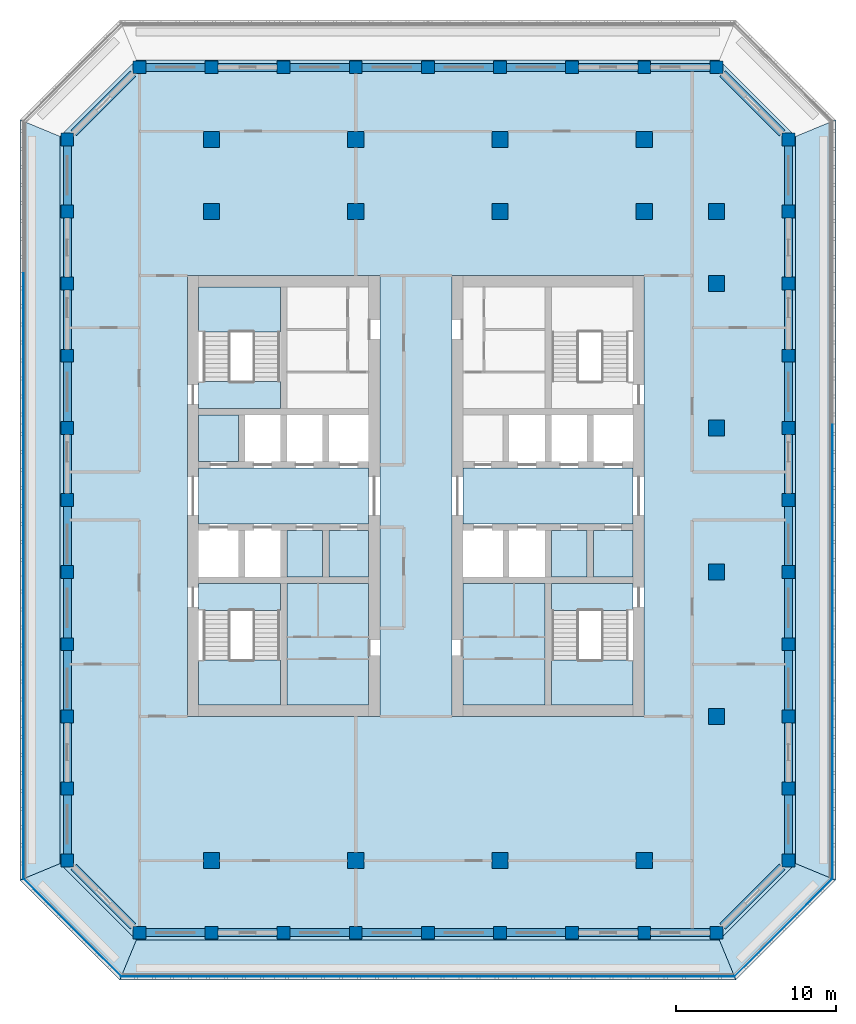
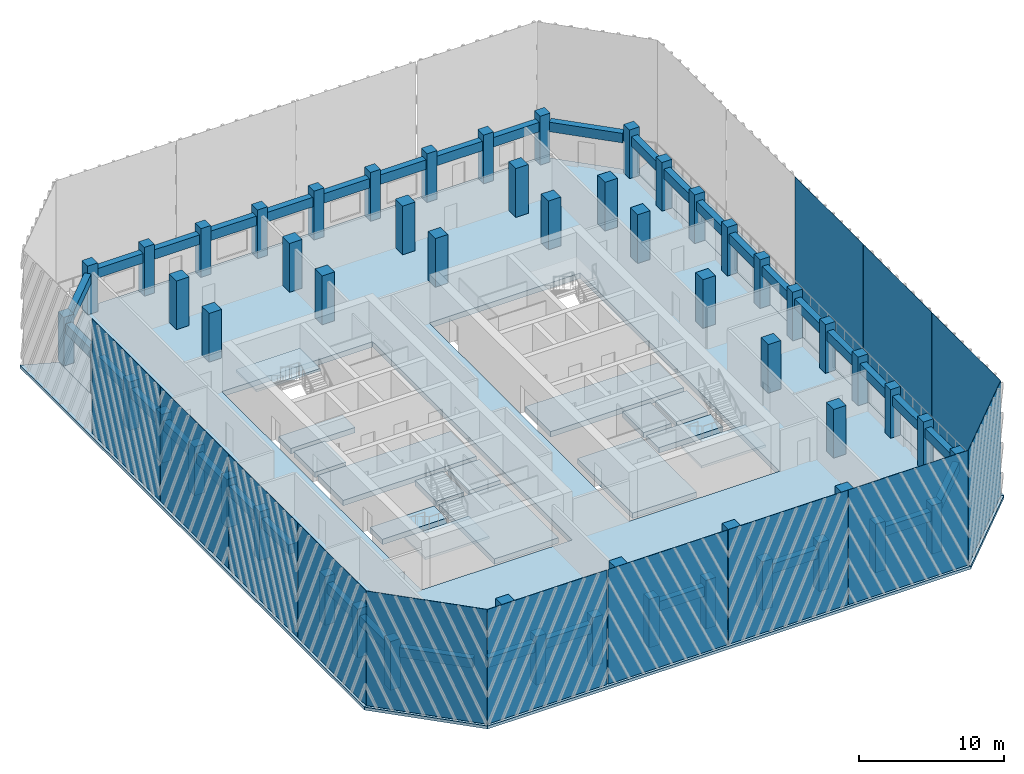
# One storey, part 1 of 17: 57 columns, 40 beams, 21 slabs, 13 plates, 3 elements without a shape of their own.
"""IFC4 building model written with IfcOpenShell, lengths in metres."""

from ifc_helpers import new_model, si_unit, direction, frame, origin, origin_2d, place, context, subcontext, project, spatial, polyline, rectangle, outline, extrude, material, layer, layer_set, material_profile, profile_set, type_object, element, aggregate, save


model = new_model("IFC4")

# Units and contexts
model_context = context("Model", 3, precision=1e-05, world=origin(), true_north=direction((0.0, 1.0)))
body_context = subcontext(model_context, "Body", "Model", "MODEL_VIEW")
ifc_project = project(units=[si_unit("LENGTHUNIT", "METRE"), si_unit("AREAUNIT", "SQUARE_METRE"), si_unit("VOLUMEUNIT", "CUBIC_METRE"), si_unit("PLANEANGLEUNIT", "RADIAN"), si_unit("MASSUNIT", "GRAM", prefix="KILO")], contexts=[model_context])

# Site, building, storey
site_placement = place(None, origin())
site = spatial("IfcSite", under=ifc_project, at=site_placement, CompositionType="ELEMENT")
building_placement = place(site_placement, origin())
building = spatial("IfcBuilding", under=site, at=building_placement, Name="Corbel Stack Research Tower", CompositionType="ELEMENT")
storey_placement = place(building_placement, frame((0.0, 0.0, 256.199951171875)))
storey = spatial("IfcBuildingStorey", under=building, at=storey_placement, Name="L58", CompositionType="ELEMENT", Elevation=256.199951171875)

# Columns
ifc_material_1 = material(Name="Concrete C60/75", Category="concrete")
ifc_material_profile_1 = material_profile(ifc_material_1, rectangle(XDim=1.0, YDim=1.0, at=origin_2d()), Name="RC 1000 x 1000")
ifc_profile_set_1 = profile_set([ifc_material_profile_1], Name="Concrete C60/75")
column_type_1 = type_object("IfcColumnType", Name="C-1000-60", PredefinedType="COLUMN", material=ifc_profile_set_1)
for number, where, z_axis, x_axis, name in (
    (1, (-9.0, -18.0, 0.0), (0.0, 0.0, 1.0), (1.0, 0.0, 0.0), "Column 6/D L58"),
    (2, (-9.0, 22.5, 0.0), (0.0, 0.0, 1.0), (1.0, 0.0, 0.0), "Column 6/N L58"),
    (3, (-9.0, 27.0, 0.0), (0.0, 0.0, 1.0), (1.0, 0.0, 0.0), "Column 6/P L58"),
    (4, (0.0, -18.0, 0.0), (0.0, 0.0, 1.0), (1.0, 0.0, 0.0), "Column 8/D L58"),
    (5, (0.0, 22.5, 0.0), (0.0, 0.0, 1.0), (1.0, 0.0, 0.0), "Column 8/N L58"),
    (6, (0.0, 27.0, 0.0), (0.0, 0.0, 1.0), (1.0, 0.0, 0.0), "Column 8/P L58"),
    (7, (9.0, -18.0, 0.0), (0.0, 0.0, 1.0), (1.0, 0.0, 0.0), "Column 10/D L58"),
    (8, (9.0, 22.5, 0.0), (0.0, 0.0, 1.0), (1.0, 0.0, 0.0), "Column 10/N L58"),
    (9, (9.0, 27.0, 0.0), (0.0, 0.0, 1.0), (1.0, 0.0, 0.0), "Column 10/P L58"),
    (10, (18.0, -18.0, 0.0), (0.0, 0.0, 1.0), (1.0, 0.0, 0.0), "Column 12/D L58"),
    (11, (18.0, 22.5, 0.0), (0.0, 0.0, 1.0), (1.0, 0.0, 0.0), "Column 12/N L58"),
    (12, (18.0, 27.0, 0.0), (0.0, 0.0, 1.0), (1.0, 0.0, 0.0), "Column 12/P L58"),
    (13, (22.5, -9.0, 0.0), (0.0, 0.0, 1.0), (1.0, 0.0, 0.0), "Column 13/F L58"),
    (14, (22.5, 0.0, 0.0), (0.0, 0.0, 1.0), (1.0, 0.0, 0.0), "Column 13/H L58"),
    (15, (22.5, 9.0, 0.0), (0.0, 0.0, 1.0), (1.0, 0.0, 0.0), "Column 13/K L58"),
    (16, (22.5, 18.0, 0.0), (0.0, 0.0, 1.0), (1.0, 0.0, 0.0), "Column 13/M L58"),
    (17, (22.5, 22.5, 0.0), (0.0, 0.0, 1.0), (1.0, 0.0, 0.0), "Column 13/N L58"),
):
    element("IfcColumn", number, at=place(storey_placement, frame(where, z_axis=z_axis, x_axis=x_axis)), inside=storey, type_object=column_type_1, Name=name, PredefinedType="COLUMN", context=body_context, shape_type="SweptSolid", body=[
        extrude(rectangle(XDim=1.0, YDim=1.0, at=origin_2d()), origin(), (0.0, 0.0, 1.0), 4.10009765625),
    ])
ifc_material_2 = material(Name="Concrete C60/75", Category="concrete")
ifc_material_profile_2 = material_profile(ifc_material_2, rectangle(XDim=0.800048828125, YDim=0.800048828125, at=origin_2d()), Name="RC 800 x 800")
ifc_profile_set_2 = profile_set([ifc_material_profile_2], Name="Concrete C60/75")
column_type_2 = type_object("IfcColumnType", Name="C-800-60", PredefinedType="COLUMN", material=ifc_profile_set_2)
for number, where, z_axis, x_axis, name in (
    (18, (-18.0, -18.0, 0.0), (0.0, 0.0, 1.0), (1.0, 0.0, 0.0), "Column 4/D L58"),
    (19, (-18.0, -13.5, 0.0), (0.0, 0.0, 1.0), (1.0, 0.0, 0.0), "Column 4/E L58"),
    (20, (-18.0, -9.0, 0.0), (0.0, 0.0, 1.0), (1.0, 0.0, 0.0), "Column 4/F L58"),
    (21, (-18.0, -4.5, 0.0), (0.0, 0.0, 1.0), (1.0, 0.0, 0.0), "Column 4/G L58"),
    (22, (-18.0, 0.0, 0.0), (0.0, 0.0, 1.0), (1.0, 0.0, 0.0), "Column 4/H L58"),
    (23, (-18.0, 4.5, 0.0), (0.0, 0.0, 1.0), (1.0, 0.0, 0.0), "Column 4/J L58"),
    (24, (-18.0, 9.0, 0.0), (0.0, 0.0, 1.0), (1.0, 0.0, 0.0), "Column 4/K L58"),
    (25, (-18.0, 13.5, 0.0), (0.0, 0.0, 1.0), (1.0, 0.0, 0.0), "Column 4/L L58"),
    (26, (-18.0, 18.0, 0.0), (0.0, 0.0, 1.0), (1.0, 0.0, 0.0), "Column 4/M L58"),
    (27, (-18.0, 22.5, 0.0), (0.0, 0.0, 1.0), (1.0, 0.0, 0.0), "Column 4/N L58"),
    (28, (-18.0, 27.0, 0.0), (0.0, 0.0, 1.0), (1.0, 0.0, 0.0), "Column 4/P L58"),
    (29, (-13.5, -22.5, 0.0), (0.0, 0.0, 1.0), (1.0, 0.0, 0.0), "Column 5/C L58"),
    (30, (-13.5, 31.5, 0.0), (0.0, 0.0, 1.0), (1.0, 0.0, 0.0), "Column 5/Q L58"),
    (31, (-9.0, -22.5, 0.0), (0.0, 0.0, 1.0), (1.0, 0.0, 0.0), "Column 6/C L58"),
    (32, (-9.0, 31.5, 0.0), (0.0, 0.0, 1.0), (1.0, 0.0, 0.0), "Column 6/Q L58"),
    (33, (-4.5, -22.5, 0.0), (0.0, 0.0, 1.0), (1.0, 0.0, 0.0), "Column 7/C L58"),
    (34, (-4.5, 31.5, 0.0), (0.0, 0.0, 1.0), (1.0, 0.0, 0.0), "Column 7/Q L58"),
    (35, (0.0, -22.5, 0.0), (0.0, 0.0, 1.0), (1.0, 0.0, 0.0), "Column 8/C L58"),
    (36, (0.0, 31.5, 0.0), (0.0, 0.0, 1.0), (1.0, 0.0, 0.0), "Column 8/Q L58"),
    (37, (4.5, -22.5, 0.0), (0.0, 0.0, 1.0), (1.0, 0.0, 0.0), "Column 9/C L58"),
    (38, (4.5, 31.5, 0.0), (0.0, 0.0, 1.0), (1.0, 0.0, 0.0), "Column 9/Q L58"),
    (39, (9.0, -22.5, 0.0), (0.0, 0.0, 1.0), (1.0, 0.0, 0.0), "Column 10/C L58"),
    (40, (9.0, 31.5, 0.0), (0.0, 0.0, 1.0), (1.0, 0.0, 0.0), "Column 10/Q L58"),
    (41, (13.5, -22.5, 0.0), (0.0, 0.0, 1.0), (1.0, 0.0, 0.0), "Column 11/C L58"),
    (42, (13.5, 31.5, 0.0), (0.0, 0.0, 1.0), (1.0, 0.0, 0.0), "Column 11/Q L58"),
    (43, (18.0, -22.5, 0.0), (0.0, 0.0, 1.0), (1.0, 0.0, 0.0), "Column 12/C L58"),
    (44, (18.0, 31.5, 0.0), (0.0, 0.0, 1.0), (1.0, 0.0, 0.0), "Column 12/Q L58"),
    (45, (22.5, -22.5, 0.0), (0.0, 0.0, 1.0), (1.0, 0.0, 0.0), "Column 13/C L58"),
    (46, (22.5, 31.5, 0.0), (0.0, 0.0, 1.0), (1.0, 0.0, 0.0), "Column 13/Q L58"),
    (47, (27.0, -18.0, 0.0), (0.0, 0.0, 1.0), (1.0, 0.0, 0.0), "Column 14/D L58"),
    (48, (27.0, -13.5, 0.0), (0.0, 0.0, 1.0), (1.0, 0.0, 0.0), "Column 14/E L58"),
    (49, (27.0, -9.0, 0.0), (0.0, 0.0, 1.0), (1.0, 0.0, 0.0), "Column 14/F L58"),
    (50, (27.0, -4.5, 0.0), (0.0, 0.0, 1.0), (1.0, 0.0, 0.0), "Column 14/G L58"),
    (51, (27.0, 0.0, 0.0), (0.0, 0.0, 1.0), (1.0, 0.0, 0.0), "Column 14/H L58"),
    (52, (27.0, 4.5, 0.0), (0.0, 0.0, 1.0), (1.0, 0.0, 0.0), "Column 14/J L58"),
    (53, (27.0, 9.0, 0.0), (0.0, 0.0, 1.0), (1.0, 0.0, 0.0), "Column 14/K L58"),
    (54, (27.0, 13.5, 0.0), (0.0, 0.0, 1.0), (1.0, 0.0, 0.0), "Column 14/L L58"),
    (55, (27.0, 18.0, 0.0), (0.0, 0.0, 1.0), (1.0, 0.0, 0.0), "Column 14/M L58"),
    (56, (27.0, 22.5, 0.0), (0.0, 0.0, 1.0), (1.0, 0.0, 0.0), "Column 14/N L58"),
    (57, (27.0, 27.0, 0.0), (0.0, 0.0, 1.0), (1.0, 0.0, 0.0), "Column 14/P L58"),
):
    element("IfcColumn", number, at=place(storey_placement, frame(where, z_axis=z_axis, x_axis=x_axis)), inside=storey, type_object=column_type_2, Name=name, PredefinedType="COLUMN", context=body_context, shape_type="SweptSolid", body=[
        extrude(rectangle(XDim=0.800048828125, YDim=0.800048828125, at=origin_2d()), origin(), (0.0, 0.0, 1.0), 4.10009765625),
    ])

# Beams
ifc_material_3 = material(Name="Concrete C60/75", Category="concrete")
ifc_material_profile_3 = material_profile(ifc_material_3, rectangle(XDim=0.5, YDim=0.800048828125, at=origin_2d()), Name="RC 500 x 800")
ifc_profile_set_3 = profile_set([ifc_material_profile_3], Name="Concrete C60/75")
beam_type = type_object("IfcBeamType", Name="SB-500-800-600", PredefinedType="SPANDREL", material=ifc_profile_set_3)
for number, where, z_axis, x_axis, name in (
    (58, (-13.10009765625, -22.5, 3.10009765625), (1.0, 0.0, 0.0), (0.0, 1.0, 0.0), "Spandrel beam L58-01"),
    (59, (-8.60009765625, -22.5, 3.10009765625), (1.0, 0.0, 0.0), (0.0, 1.0, 0.0), "Spandrel beam L58-02"),
    (60, (-4.10009765625, -22.5, 3.10009765625), (1.0, 0.0, 0.0), (0.0, 1.0, 0.0), "Spandrel beam L58-03"),
    (61, (0.39990234375, -22.5, 3.10009765625), (1.0, 0.0, 0.0), (0.0, 1.0, 0.0), "Spandrel beam L58-04"),
    (62, (4.89990234375, -22.5, 3.10009765625), (1.0, 0.0, 0.0), (0.0, 1.0, 0.0), "Spandrel beam L58-05"),
    (63, (9.39990234375, -22.5, 3.10009765625), (1.0, 0.0, 0.0), (0.0, 1.0, 0.0), "Spandrel beam L58-06"),
    (64, (13.89990234375, -22.5, 3.10009765625), (1.0, 0.0, 0.0), (0.0, 1.0, 0.0), "Spandrel beam L58-07"),
    (65, (18.39990234375, -22.5, 3.10009765625), (1.0, 0.0, 0.0), (0.0, 1.0, 0.0), "Spandrel beam L58-08"),
):
    element("IfcBeam", number, at=place(storey_placement, frame(where, z_axis=z_axis, x_axis=x_axis)), inside=storey, type_object=beam_type, Name=name, PredefinedType="SPANDREL", context=body_context, shape_type="SweptSolid", body=[
        extrude(rectangle(XDim=0.5, YDim=0.800048828125, at=origin_2d()), origin(), (0.0, 0.0, 1.0), 3.7001953125),
    ])
beam_1_placement = place(storey_placement, frame((22.89990234375, -22.10009765625, 3.10009765625), z_axis=(0.707106781187, 0.707106781187, 0.0), x_axis=(-0.707106781187, 0.707106781187, 0.0)))
element("IfcBeam", 66, at=beam_1_placement, inside=storey, type_object=beam_type, Name="Spandrel beam L58-09", PredefinedType="SPANDREL", context=body_context, shape_type="SweptSolid", body=[
    extrude(rectangle(XDim=0.5, YDim=0.800048828125, at=origin_2d()), origin(), (0.0, 0.0, 1.0), 5.23291015625),
])
for number, where, z_axis, x_axis, name in (
    (67, (27.0, -17.60009765625, 3.10009765625), (0.0, 1.0, 0.0), (-1.0, 0.0, 0.0), "Spandrel beam L58-10"),
    (68, (27.0, -13.10009765625, 3.10009765625), (0.0, 1.0, 0.0), (-1.0, 0.0, 0.0), "Spandrel beam L58-11"),
    (69, (27.0, -8.60009765625, 3.10009765625), (0.0, 1.0, 0.0), (-1.0, 0.0, 0.0), "Spandrel beam L58-12"),
    (70, (27.0, -4.10009765625, 3.10009765625), (0.0, 1.0, 0.0), (-1.0, 0.0, 0.0), "Spandrel beam L58-13"),
    (71, (27.0, 0.39990234375, 3.10009765625), (0.0, 1.0, 0.0), (-1.0, 0.0, 0.0), "Spandrel beam L58-14"),
    (72, (27.0, 4.89990234375, 3.10009765625), (0.0, 1.0, 0.0), (-1.0, 0.0, 0.0), "Spandrel beam L58-15"),
    (73, (27.0, 9.39990234375, 3.10009765625), (0.0, 1.0, 0.0), (-1.0, 0.0, 0.0), "Spandrel beam L58-16"),
    (74, (27.0, 13.89990234375, 3.10009765625), (0.0, 1.0, 0.0), (-1.0, 0.0, 0.0), "Spandrel beam L58-17"),
    (75, (27.0, 18.39990234375, 3.10009765625), (0.0, 1.0, 0.0), (-1.0, 0.0, 0.0), "Spandrel beam L58-18"),
    (76, (27.0, 22.89990234375, 3.10009765625), (0.0, 1.0, 0.0), (-1.0, 0.0, 0.0), "Spandrel beam L58-19"),
):
    element("IfcBeam", number, at=place(storey_placement, frame(where, z_axis=z_axis, x_axis=x_axis)), inside=storey, type_object=beam_type, Name=name, PredefinedType="SPANDREL", context=body_context, shape_type="SweptSolid", body=[
        extrude(rectangle(XDim=0.5, YDim=0.800048828125, at=origin_2d()), origin(), (0.0, 0.0, 1.0), 3.7001953125),
    ])
beam_2_placement = place(storey_placement, frame((26.60009765625, 27.39990234375, 3.10009765625), z_axis=(-0.707106781187, 0.707106781187, 0.0), x_axis=(-0.707106781187, -0.707106781187, 0.0)))
element("IfcBeam", 77, at=beam_2_placement, inside=storey, type_object=beam_type, Name="Spandrel beam L58-20", PredefinedType="SPANDREL", context=body_context, shape_type="SweptSolid", body=[
    extrude(rectangle(XDim=0.5, YDim=0.800048828125, at=origin_2d()), origin(), (0.0, 0.0, 1.0), 5.23291015625),
])
for number, where, z_axis, x_axis, name in (
    (78, (22.10009765625, 31.5, 3.10009765625), (-1.0, 0.0, 0.0), (0.0, -1.0, 0.0), "Spandrel beam L58-21"),
    (79, (17.60009765625, 31.5, 3.10009765625), (-1.0, 0.0, 0.0), (0.0, -1.0, 0.0), "Spandrel beam L58-22"),
    (80, (13.10009765625, 31.5, 3.10009765625), (-1.0, 0.0, 0.0), (0.0, -1.0, 0.0), "Spandrel beam L58-23"),
    (81, (8.60009765625, 31.5, 3.10009765625), (-1.0, 0.0, 0.0), (0.0, -1.0, 0.0), "Spandrel beam L58-24"),
    (82, (4.10009765625, 31.5, 3.10009765625), (-1.0, 0.0, 0.0), (0.0, -1.0, 0.0), "Spandrel beam L58-25"),
    (83, (-0.39990234375, 31.5, 3.10009765625), (-1.0, 0.0, 0.0), (0.0, -1.0, 0.0), "Spandrel beam L58-26"),
    (84, (-4.89990234375, 31.5, 3.10009765625), (-1.0, 0.0, 0.0), (0.0, -1.0, 0.0), "Spandrel beam L58-27"),
    (85, (-9.39990234375, 31.5, 3.10009765625), (-1.0, 0.0, 0.0), (0.0, -1.0, 0.0), "Spandrel beam L58-28"),
):
    element("IfcBeam", number, at=place(storey_placement, frame(where, z_axis=z_axis, x_axis=x_axis)), inside=storey, type_object=beam_type, Name=name, PredefinedType="SPANDREL", context=body_context, shape_type="SweptSolid", body=[
        extrude(rectangle(XDim=0.5, YDim=0.800048828125, at=origin_2d()), origin(), (0.0, 0.0, 1.0), 3.7001953125),
    ])
beam_3_placement = place(storey_placement, frame((-13.89990234375, 31.10009765625, 3.10009765625), z_axis=(-0.707106781187, -0.707106781187, 0.0), x_axis=(0.707106781187, -0.707106781187, 0.0)))
element("IfcBeam", 86, at=beam_3_placement, inside=storey, type_object=beam_type, Name="Spandrel beam L58-29", PredefinedType="SPANDREL", context=body_context, shape_type="SweptSolid", body=[
    extrude(rectangle(XDim=0.5, YDim=0.800048828125, at=origin_2d()), origin(), (0.0, 0.0, 1.0), 5.23291015625),
])
for number, where, z_axis, x_axis, name in (
    (87, (-18.0, 26.60009765625, 3.10009765625), (0.0, -1.0, 0.0), (1.0, 0.0, 0.0), "Spandrel beam L58-30"),
    (88, (-18.0, 22.10009765625, 3.10009765625), (0.0, -1.0, 0.0), (1.0, 0.0, 0.0), "Spandrel beam L58-31"),
    (89, (-18.0, 17.60009765625, 3.10009765625), (0.0, -1.0, 0.0), (1.0, 0.0, 0.0), "Spandrel beam L58-32"),
    (90, (-18.0, 13.10009765625, 3.10009765625), (0.0, -1.0, 0.0), (1.0, 0.0, 0.0), "Spandrel beam L58-33"),
    (91, (-18.0, 8.60009765625, 3.10009765625), (0.0, -1.0, 0.0), (1.0, 0.0, 0.0), "Spandrel beam L58-34"),
    (92, (-18.0, 4.10009765625, 3.10009765625), (0.0, -1.0, 0.0), (1.0, 0.0, 0.0), "Spandrel beam L58-35"),
    (93, (-18.0, -0.39990234375, 3.10009765625), (0.0, -1.0, 0.0), (1.0, 0.0, 0.0), "Spandrel beam L58-36"),
    (94, (-18.0, -4.89990234375, 3.10009765625), (0.0, -1.0, 0.0), (1.0, 0.0, 0.0), "Spandrel beam L58-37"),
    (95, (-18.0, -9.39990234375, 3.10009765625), (0.0, -1.0, 0.0), (1.0, 0.0, 0.0), "Spandrel beam L58-38"),
    (96, (-18.0, -13.89990234375, 3.10009765625), (0.0, -1.0, 0.0), (1.0, 0.0, 0.0), "Spandrel beam L58-39"),
):
    element("IfcBeam", number, at=place(storey_placement, frame(where, z_axis=z_axis, x_axis=x_axis)), inside=storey, type_object=beam_type, Name=name, PredefinedType="SPANDREL", context=body_context, shape_type="SweptSolid", body=[
        extrude(rectangle(XDim=0.5, YDim=0.800048828125, at=origin_2d()), origin(), (0.0, 0.0, 1.0), 3.7001953125),
    ])
beam_4_placement = place(storey_placement, frame((-17.60009765625, -18.39990234375, 3.10009765625), z_axis=(0.707106781187, -0.707106781187, 0.0), x_axis=(0.707106781187, 0.707106781187, 0.0)))
element("IfcBeam", 97, at=beam_4_placement, inside=storey, type_object=beam_type, Name="Spandrel beam L58-40", PredefinedType="SPANDREL", context=body_context, shape_type="SweptSolid", body=[
    extrude(rectangle(XDim=0.5, YDim=0.800048828125, at=origin_2d()), origin(), (0.0, 0.0, 1.0), 5.23291015625),
])

# Plates
ifc_material_4 = material(Name="Fritted glass", Category="glass")
ifc_layer_1 = layer(ifc_material_4, 0.02490234375)
ifc_layer_set_1 = layer_set([ifc_layer_1], Name="Fritted glass")
plate_type = type_object("IfcPlateType", Name="Fritted glass panel 25", PredefinedType="SHEET", material=ifc_layer_set_1)
for number, where, z_axis, x_axis, name in (
    (98, (-9.854248046875, -25.237548828125, 0.0), (0.0, 0.0, 1.0), (1.0, 0.0, 0.0), "Fritted glass L58 S1"),
    (99, (-0.284912109375, -25.237548828125, 0.0), (0.0, 0.0, 1.0), (1.0, 0.0, 0.0), "Fritted glass L58 S2"),
    (100, (9.284912109375, -25.237548828125, 0.0), (0.0, 0.0, 1.0), (1.0, 0.0, 0.0), "Fritted glass L58 S3"),
    (101, (18.854248046875, -25.237548828125, 0.0), (0.0, 0.0, 1.0), (1.0, 0.0, 0.0), "Fritted glass L58 S4"),
):
    element("IfcPlate", number, at=place(storey_placement, frame(where, z_axis=z_axis, x_axis=x_axis)), inside=storey, type_object=plate_type, Name=name, PredefinedType="SHEET", context=body_context, shape_type="SweptSolid", body=[
        extrude(rectangle(XDim=9.509521484375, YDim=0.02490234375, at=origin_2d()), origin(), (0.0, 0.0, 1.0), 9.64990234375),
    ])
plate_1_placement = place(storey_placement, frame((26.685791015625, -22.185791015625, 0.0), z_axis=(0.0, 0.0, 1.0), x_axis=(0.707106781187, 0.707106781187, 0.0)))
element("IfcPlate", 102, at=plate_1_placement, inside=storey, type_object=plate_type, Name="Fritted glass L58 SE1", PredefinedType="SHEET", context=body_context, shape_type="SweptSolid", body=[
    extrude(rectangle(XDim=8.58203125, YDim=0.02490234375, at=origin_2d()), origin(), (0.0, 0.0, 1.0), 9.64990234375),
])
for number, where, z_axis, x_axis, name in (
    (103, (29.737548828125, -14.411376953125, 0.0), (0.0, 0.0, 1.0), (0.0, 1.0, 0.0), "Fritted glass L58 E1"),
    (104, (29.737548828125, -4.95556640625, 0.0), (0.0, 0.0, 1.0), (0.0, 1.0, 0.0), "Fritted glass L58 E2"),
    (105, (29.737548828125, 4.5, 0.0), (0.0, 0.0, 1.0), (0.0, 1.0, 0.0), "Fritted glass L58 E3"),
    (106, (-20.737548828125, 13.95556640625, 0.0), (0.0, 0.0, 1.0), (0.0, -1.0, 0.0), "Fritted glass L58 W2"),
    (107, (-20.737548828125, 4.5, 0.0), (0.0, 0.0, 1.0), (0.0, -1.0, 0.0), "Fritted glass L58 W3"),
    (108, (-20.737548828125, -4.95556640625, 0.0), (0.0, 0.0, 1.0), (0.0, -1.0, 0.0), "Fritted glass L58 W4"),
    (109, (-20.737548828125, -14.411376953125, 0.0), (0.0, 0.0, 1.0), (0.0, -1.0, 0.0), "Fritted glass L58 W5"),
):
    element("IfcPlate", number, at=place(storey_placement, frame(where, z_axis=z_axis, x_axis=x_axis)), inside=storey, type_object=plate_type, Name=name, PredefinedType="SHEET", context=body_context, shape_type="SweptSolid", body=[
        extrude(rectangle(XDim=9.3955078125, YDim=0.02490234375, at=origin_2d()), origin(), (0.0, 0.0, 1.0), 9.64990234375),
    ])
plate_2_placement = place(storey_placement, frame((-17.685791015625, -22.185791015625, 0.0), z_axis=(0.0, 0.0, 1.0), x_axis=(0.707106781187, -0.707106781187, 0.0)))
element("IfcPlate", 110, at=plate_2_placement, inside=storey, type_object=plate_type, Name="Fritted glass L58 SW1", PredefinedType="SHEET", context=body_context, shape_type="SweptSolid", body=[
    extrude(rectangle(XDim=8.58203125, YDim=0.02490234375, at=origin_2d()), origin(), (0.0, 0.0, 1.0), 9.64990234375),
])

# Slabs
ifc_material_5 = material(Name="Concrete C45/55", Category="concrete")
ifc_layer_2 = layer(ifc_material_5, 0.25)
ifc_layer_set_2 = layer_set([ifc_layer_2], Name="Concrete C45/55")
slab_type_1 = type_object("IfcSlabType", Name="PT balcony slab 250 C45/55", PredefinedType="FLOOR", material=ifc_layer_set_2)
slab_1_placement = place(storey_placement, frame((0.0, 0.0, -0.25)))
element("IfcSlab", 111, at=slab_1_placement, inside=storey, type_object=slab_type_1, Name="Loggia slab L58 S", PredefinedType="FLOOR", context=body_context, shape_type="SweptSolid", body=[
    extrude(outline(polyline([(22.686279296875, -22.949951171875), (-13.686279296875, -22.949951171875), (-14.721923828125, -25.449951171875), (23.721923828125, -25.449951171875), (22.686279296875, -22.949951171875)])), origin(), (0.0, 0.0, 1.0), 0.25),
])
slab_2_placement = place(storey_placement, frame((0.0, 0.0, -0.25)))
element("IfcSlab", 112, at=slab_2_placement, inside=storey, type_object=slab_type_1, Name="Loggia slab L58 SE", PredefinedType="FLOOR", context=body_context, shape_type="SweptSolid", body=[
    extrude(outline(polyline([(27.449951171875, -18.186279296875), (27.39990234375, -18.236328125), (27.39990234375, -18.39990234375), (27.236328125, -18.39990234375), (22.89990234375, -22.736328125), (22.89990234375, -22.89990234375), (22.736328125, -22.89990234375), (22.686279296875, -22.949951171875), (23.721923828125, -25.449951171875), (29.949951171875, -19.221923828125), (27.449951171875, -18.186279296875)])), origin(), (0.0, 0.0, 1.0), 0.25),
])
slab_3_placement = place(storey_placement, frame((0.0, 0.0, -0.25)))
element("IfcSlab", 113, at=slab_3_placement, inside=storey, type_object=slab_type_1, Name="Loggia slab L58 E", PredefinedType="FLOOR", context=body_context, shape_type="SweptSolid", body=[
    extrude(outline(polyline([(27.449951171875, 27.186279296875), (27.449951171875, -18.186279296875), (29.949951171875, -19.221923828125), (29.949951171875, 28.221923828125), (27.449951171875, 27.186279296875)])), origin(), (0.0, 0.0, 1.0), 0.25),
])
slab_4_placement = place(storey_placement, frame((0.0, 0.0, -0.25)))
element("IfcSlab", 114, at=slab_4_placement, inside=storey, type_object=slab_type_1, Name="Loggia slab L58 W", PredefinedType="FLOOR", context=body_context, shape_type="SweptSolid", body=[
    extrude(outline(polyline([(-18.449951171875, -18.186279296875), (-18.449951171875, 27.186279296875), (-20.949951171875, 28.221923828125), (-20.949951171875, -19.221923828125), (-18.449951171875, -18.186279296875)])), origin(), (0.0, 0.0, 1.0), 0.25),
])
slab_5_placement = place(storey_placement, frame((0.0, 0.0, -0.25)))
element("IfcSlab", 115, at=slab_5_placement, inside=storey, type_object=slab_type_1, Name="Loggia slab L58 SW", PredefinedType="FLOOR", context=body_context, shape_type="SweptSolid", body=[
    extrude(outline(polyline([(-13.686279296875, -22.949951171875), (-13.736328125, -22.89990234375), (-13.89990234375, -22.89990234375), (-13.89990234375, -22.736328125), (-18.236328125, -18.39990234375), (-18.39990234375, -18.39990234375), (-18.39990234375, -18.236328125), (-18.449951171875, -18.186279296875), (-20.949951171875, -19.221923828125), (-14.721923828125, -25.449951171875), (-13.686279296875, -22.949951171875)])), origin(), (0.0, 0.0, 1.0), 0.25),
])
ifc_material_6 = material(Name="Concrete C45/55", Category="concrete")
ifc_layer_3 = layer(ifc_material_6, 0.449951171875)
ifc_layer_set_3 = layer_set([ifc_layer_3], Name="Concrete C45/55")
slab_type_2 = type_object("IfcSlabType", Name="PT-450", PredefinedType="FLOOR", material=ifc_layer_set_3)
slab_6_placement = place(storey_placement, frame((0.0, 0.0, -0.449951171875)))
element("IfcSlab", 116, at=slab_6_placement, inside=storey, type_object=slab_type_2, Name="Floor slab L58", PredefinedType="FLOOR", context=body_context, shape_type="SweptSolid", body=[
    extrude(outline(polyline([(-13.686279296875, -22.949951171875), (22.686279296875, -22.949951171875), (27.449951171875, -18.186279296875), (27.449951171875, 27.186279296875), (22.686279296875, 31.949951171875), (-13.686279296875, 31.949951171875), (-18.449951171875, 27.186279296875), (-18.449951171875, -18.186279296875), (-13.686279296875, -22.949951171875)]), holes=[polyline([(22.0, 22.0), (22.0, 23.0), (23.0, 23.0), (23.0, 22.0), (22.0, 22.0)]), polyline([(23.0, 17.5), (22.0, 17.5), (22.0, 18.5), (23.0, 18.5), (23.0, 17.5)]), polyline([(23.0, 8.5), (22.0, 8.5), (22.0, 9.5), (23.0, 9.5), (23.0, 8.5)]), polyline([(22.0, -0.5), (22.0, 0.5), (23.0, 0.5), (23.0, -0.5), (22.0, -0.5)]), polyline([(23.0, -9.5), (22.0, -9.5), (22.0, -8.5), (23.0, -8.5), (23.0, -9.5)]), polyline([(17.5, 26.5), (17.5, 27.5), (18.5, 27.5), (18.5, 26.5), (17.5, 26.5)]), polyline([(18.5, 22.0), (17.5, 22.0), (17.5, 23.0), (18.5, 23.0), (18.5, 22.0)]), polyline([(18.5, -18.5), (17.5, -18.5), (17.5, -17.5), (18.5, -17.5), (18.5, -18.5)]), polyline([(6.0, -9.0), (6.0, 18.5), (18.0, 18.5), (18.0, -9.0), (6.0, -9.0)]), polyline([(9.5, 26.5), (8.5, 26.5), (8.5, 27.5), (9.5, 27.5), (9.5, 26.5)]), polyline([(9.5, 22.0), (8.5, 22.0), (8.5, 23.0), (9.5, 23.0), (9.5, 22.0)]), polyline([(9.5, -18.5), (8.5, -18.5), (8.5, -17.5), (9.5, -17.5), (9.5, -18.5)]), polyline([(1.5, -9.0), (-10.5, -9.0), (-10.5, 18.5), (1.5, 18.5), (1.5, -9.0)]), polyline([(-0.5, 26.5), (-0.5, 27.5), (0.5, 27.5), (0.5, 26.5), (-0.5, 26.5)]), polyline([(0.5, 22.0), (-0.5, 22.0), (-0.5, 23.0), (0.5, 23.0), (0.5, 22.0)]), polyline([(0.5, -18.5), (-0.5, -18.5), (-0.5, -17.5), (0.5, -17.5), (0.5, -18.5)]), polyline([(-9.5, 26.5), (-9.5, 27.5), (-8.5, 27.5), (-8.5, 26.5), (-9.5, 26.5)]), polyline([(-8.5, 22.0), (-9.5, 22.0), (-9.5, 23.0), (-8.5, 23.0), (-8.5, 22.0)]), polyline([(-8.5, -18.5), (-9.5, -18.5), (-9.5, -17.5), (-8.5, -17.5), (-8.5, -18.5)])]), origin(), (0.0, 0.0, 1.0), 0.449951171875),
])
slab_7_placement = place(storey_placement, frame((0.0, 0.0, -0.449951171875)))
element("IfcSlab", 117, at=slab_7_placement, inside=storey, type_object=slab_type_2, Name="West core floor L58", PredefinedType="FLOOR", context=body_context, shape_type="SweptSolid", body=[
    extrude(outline(polyline([(-9.800048828125, 6.5), (-9.800048828125, 3.0), (0.800048828125, 3.0), (0.800048828125, 6.5), (-9.800048828125, 6.5)])), origin(), (0.0, 0.0, 1.0), 0.449951171875),
])
slab_8_placement = place(storey_placement, frame((0.0, 0.0, -0.449951171875)))
element("IfcSlab", 118, at=slab_8_placement, inside=storey, type_object=slab_type_2, Name="West core floor L58", PredefinedType="FLOOR", context=body_context, shape_type="SweptSolid", body=[
    extrude(outline(polyline([(-9.800048828125, 6.89990234375), (-7.324951171875, 6.89990234375), (-7.324951171875, 9.800048828125), (-9.800048828125, 9.800048828125), (-9.800048828125, 6.89990234375)])), origin(), (0.0, 0.0, 1.0), 0.449951171875),
])
slab_9_placement = place(storey_placement, frame((0.0, 0.0, -0.449951171875)))
element("IfcSlab", 119, at=slab_9_placement, inside=storey, type_object=slab_type_2, Name="West core floor L58", PredefinedType="FLOOR", context=body_context, shape_type="SweptSolid", body=[
    extrude(outline(polyline([(-4.300048828125, -0.699951171875), (-4.300048828125, -8.300048828125), (0.800048828125, -8.300048828125), (0.800048828125, -0.699951171875), (-4.300048828125, -0.699951171875)])), origin(), (0.0, 0.0, 1.0), 0.449951171875),
])
slab_10_placement = place(storey_placement, frame((0.0, 0.0, -0.449951171875)))
element("IfcSlab", 120, at=slab_10_placement, inside=storey, type_object=slab_type_2, Name="West core floor L58", PredefinedType="FLOOR", context=body_context, shape_type="SweptSolid", body=[
    extrude(outline(polyline([(-4.300048828125, 2.60009765625), (-4.300048828125, -0.300048828125), (-2.074951171875, -0.300048828125), (-2.074951171875, 2.60009765625), (-4.300048828125, 2.60009765625)])), origin(), (0.0, 0.0, 1.0), 0.449951171875),
])
slab_11_placement = place(storey_placement, frame((0.0, 0.0, -0.449951171875)))
element("IfcSlab", 121, at=slab_11_placement, inside=storey, type_object=slab_type_2, Name="West core floor L58", PredefinedType="FLOOR", context=body_context, shape_type="SweptSolid", body=[
    extrude(outline(polyline([(-1.675048828125, 2.60009765625), (-1.675048828125, -0.300048828125), (0.800048828125, -0.300048828125), (0.800048828125, 2.60009765625), (-1.675048828125, 2.60009765625)])), origin(), (0.0, 0.0, 1.0), 0.449951171875),
])
slab_12_placement = place(storey_placement, frame((0.0, 0.0, -0.449951171875)))
element("IfcSlab", 122, at=slab_12_placement, inside=storey, type_object=slab_type_2, Name="East core floor L58", PredefinedType="FLOOR", context=body_context, shape_type="SweptSolid", body=[
    extrude(outline(polyline([(6.699951171875, -8.300048828125), (11.800048828125, -8.300048828125), (11.800048828125, -0.699951171875), (6.699951171875, -0.699951171875), (6.699951171875, -8.300048828125)])), origin(), (0.0, 0.0, 1.0), 0.449951171875),
])
slab_13_placement = place(storey_placement, frame((0.0, 0.0, -0.449951171875)))
element("IfcSlab", 123, at=slab_13_placement, inside=storey, type_object=slab_type_2, Name="East core floor L58", PredefinedType="FLOOR", context=body_context, shape_type="SweptSolid", body=[
    extrude(outline(polyline([(6.699951171875, 3.0), (17.300048828125, 3.0), (17.300048828125, 6.5), (6.699951171875, 6.5), (6.699951171875, 3.0)])), origin(), (0.0, 0.0, 1.0), 0.449951171875),
])
slab_14_placement = place(storey_placement, frame((0.0, 0.0, -0.449951171875)))
element("IfcSlab", 124, at=slab_14_placement, inside=storey, type_object=slab_type_2, Name="East core floor L58", PredefinedType="FLOOR", context=body_context, shape_type="SweptSolid", body=[
    extrude(outline(polyline([(12.199951171875, 2.60009765625), (12.199951171875, -0.300048828125), (14.425048828125, -0.300048828125), (14.425048828125, 2.60009765625), (12.199951171875, 2.60009765625)])), origin(), (0.0, 0.0, 1.0), 0.449951171875),
])
slab_15_placement = place(storey_placement, frame((0.0, 0.0, -0.449951171875)))
element("IfcSlab", 125, at=slab_15_placement, inside=storey, type_object=slab_type_2, Name="East core floor L58", PredefinedType="FLOOR", context=body_context, shape_type="SweptSolid", body=[
    extrude(outline(polyline([(14.824951171875, 2.60009765625), (14.824951171875, -0.300048828125), (17.300048828125, -0.300048828125), (17.300048828125, 2.60009765625), (14.824951171875, 2.60009765625)])), origin(), (0.0, 0.0, 1.0), 0.449951171875),
])
slab_16_placement = place(storey_placement, frame((0.0, 0.0, -0.449951171875)))
element("IfcSlab", 126, at=slab_16_placement, inside=storey, type_object=slab_type_2, Name="Stair floor landing ST-W1", PredefinedType="FLOOR", context=body_context, shape_type="SweptSolid", body=[
    extrude(outline(polyline([(-9.800048828125, -2.39990234375), (-4.699951171875, -2.39990234375), (-4.699951171875, -0.699951171875), (-9.800048828125, -0.699951171875), (-9.800048828125, -2.39990234375)])), origin(), (0.0, 0.0, 1.0), 0.449951171875),
])
slab_17_placement = place(storey_placement, frame((0.0, 0.0, -0.449951171875)))
element("IfcSlab", 127, at=slab_17_placement, inside=storey, type_object=slab_type_2, Name="Stair floor landing ST-W2", PredefinedType="FLOOR", context=body_context, shape_type="SweptSolid", body=[
    extrude(outline(polyline([(-9.800048828125, 10.199951171875), (-4.699951171875, 10.199951171875), (-4.699951171875, 11.89990234375), (-9.800048828125, 11.89990234375), (-9.800048828125, 10.199951171875)])), origin(), (0.0, 0.0, 1.0), 0.449951171875),
])
slab_18_placement = place(storey_placement, frame((0.0, 0.0, -0.449951171875)))
element("IfcSlab", 128, at=slab_18_placement, inside=storey, type_object=slab_type_2, Name="Stair floor landing ST-E1", PredefinedType="FLOOR", context=body_context, shape_type="SweptSolid", body=[
    extrude(outline(polyline([(12.199951171875, -2.39990234375), (17.300048828125, -2.39990234375), (17.300048828125, -0.699951171875), (12.199951171875, -0.699951171875), (12.199951171875, -2.39990234375)])), origin(), (0.0, 0.0, 1.0), 0.449951171875),
])

# Stair, slab
ifc_material_7 = material(Name="Concrete C40/50", Category="concrete")
stair_type = type_object("IfcStairType", Name="Exit stair 24 risers", PredefinedType="HALF_TURN_STAIR", material=ifc_material_7)
stair_1_placement = place(storey_placement, origin())
stair_1 = element("IfcStair", 129, at=stair_1_placement, inside=storey, type_object=stair_type, Name="L58 Exit stair ST-W1", PredefinedType="HALF_TURN_STAIR")
ifc_material_8 = material(Name="Concrete C40/50", Category="concrete")
ifc_layer_4 = layer(ifc_material_8, 0.199951171875)
ifc_layer_set_4 = layer_set([ifc_layer_4], Name="Concrete C40/50")
slab_type_3 = type_object("IfcSlabType", Name="Stair landing 200 C40/50", PredefinedType="LANDING", material=ifc_layer_set_4)
slab_19_placement = place(storey_placement, frame((0.0, 0.0, 1.85009765625)))
slab_19 = element("IfcSlab", 130, at=slab_19_placement, type_object=slab_type_3, Name="ST-W1 landing 1", PredefinedType="LANDING", context=body_context, shape_type="SweptSolid", body=[
    extrude(outline(polyline([(-9.800048828125, -8.300048828125), (-9.800048828125, -5.47998046875), (-4.699951171875, -5.47998046875), (-4.699951171875, -8.300048828125), (-9.800048828125, -8.300048828125)])), origin(), (0.0, 0.0, 1.0), 0.199951171875),
])
aggregate(stair_1, [slab_19])

stair_2_placement = place(storey_placement, origin())
stair_2 = element("IfcStair", 131, at=stair_2_placement, inside=storey, type_object=stair_type, Name="L58 Exit stair ST-W2", PredefinedType="HALF_TURN_STAIR")
slab_20_placement = place(storey_placement, frame((0.0, 0.0, 1.85009765625)))
slab_20 = element("IfcSlab", 132, at=slab_20_placement, type_object=slab_type_3, Name="ST-W2 landing 1", PredefinedType="LANDING", context=body_context, shape_type="SweptSolid", body=[
    extrude(outline(polyline([(-9.800048828125, 14.97998046875), (-9.800048828125, 17.800048828125), (-4.699951171875, 17.800048828125), (-4.699951171875, 14.97998046875), (-9.800048828125, 14.97998046875)])), origin(), (0.0, 0.0, 1.0), 0.199951171875),
])
aggregate(stair_2, [slab_20])

stair_3_placement = place(storey_placement, origin())
stair_3 = element("IfcStair", 133, at=stair_3_placement, inside=storey, type_object=stair_type, Name="L58 Exit stair ST-E1", PredefinedType="HALF_TURN_STAIR")
slab_21_placement = place(storey_placement, frame((0.0, 0.0, 1.85009765625)))
slab_21 = element("IfcSlab", 134, at=slab_21_placement, type_object=slab_type_3, Name="ST-E1 landing 1", PredefinedType="LANDING", context=body_context, shape_type="SweptSolid", body=[
    extrude(outline(polyline([(12.199951171875, -8.300048828125), (12.199951171875, -5.47998046875), (17.300048828125, -5.47998046875), (17.300048828125, -8.300048828125), (12.199951171875, -8.300048828125)])), origin(), (0.0, 0.0, 1.0), 0.199951171875),
])
aggregate(stair_3, [slab_21])

save(model, "model.ifc")
